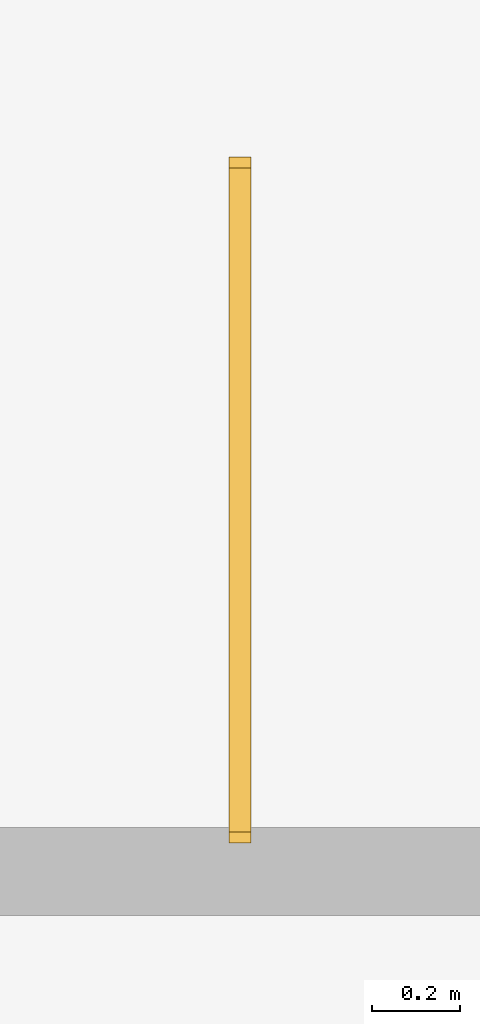
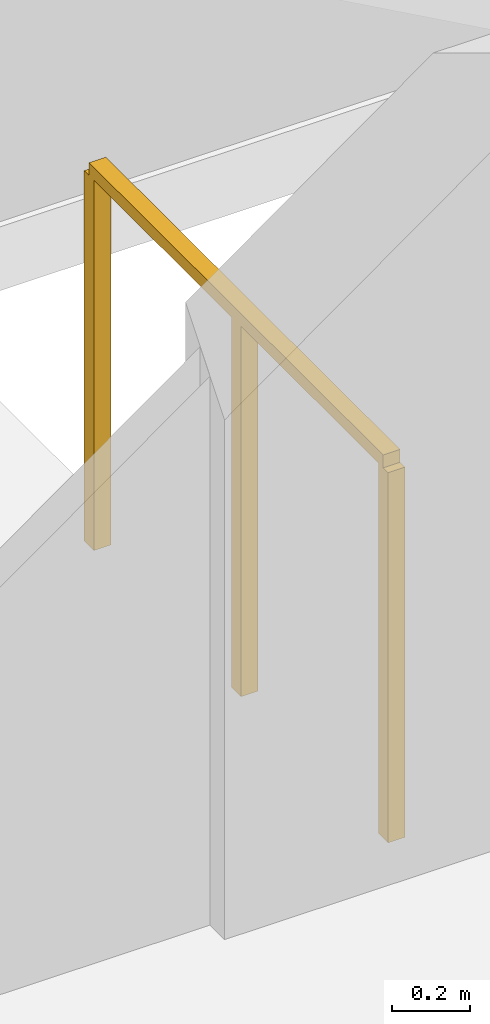
# One storey, part 13 of 13: 1 railing.
"""IFC4 building model written with IfcOpenShell, lengths in metres."""

import ifcopenshell
import ifcopenshell.guid

model = None  # the IFC model being written
_history = None  # IfcOwnerHistory: only IFC2X3 demands one
_inside = {}  # id of a spatial element -> (the spatial element, [elements in it])
_under = {}  # id of a project, library or spatial element -> (it, [spatial elements below it])
_declared = {}  # id of a project -> (the project, [libraries it declares])
_typed = {}  # id of a type object -> (the type object, [elements of that type])
_made_of = {}  # id of a material, layer set ... -> (it, [elements and type objects made of it])


def new_model(schema):
    """Start an empty IFC model of exactly this schema.

    Asked for "IFC4X3", IfcOpenShell would pick the latest addendum, in which some entities
    have other attributes; the version numbers below select the first issue.
    IFC2X3 requires an IfcOwnerHistory on every rooted entity: one is made here for all.
    """
    global model, _history
    if schema == "IFC4X3":
        model = ifcopenshell.file(schema_version=(4, 3, 0, 0))
    else:
        model = ifcopenshell.file(schema=schema)
    _inside.clear()
    _under.clear()
    _declared.clear()
    _typed.clear()
    _made_of.clear()
    _history = None
    if model.schema == "IFC2X3":
        org = make("IfcOrganization", Name="unknown")
        user = make(
            "IfcPersonAndOrganization",
            ThePerson=make("IfcPerson", FamilyName="unknown"),
            TheOrganization=org,
        )
        app = make(
            "IfcApplication",
            ApplicationDeveloper=org,
            Version="unknown",
            ApplicationFullName="unknown",
            ApplicationIdentifier="unknown",
        )
        _history = make(
            "IfcOwnerHistory",
            OwningUser=user,
            OwningApplication=app,
            ChangeAction="ADDED",
            CreationDate=0,
        )
    return model


def make(cls, **values):
    """One entity of the class cls with the attributes given. An attribute that is None is left unset."""
    return model.create_entity(
        cls, **{name: value for name, value in values.items() if value is not None}
    )


def rooted(cls, **values):
    """An entity with a GlobalId (a new one), such as an element, a storey or a relation."""
    return make(cls, GlobalId=ifcopenshell.guid.new(), OwnerHistory=_history, **values)


def si_unit(unit_type, name, prefix=None):
    """IfcSIUnit, for example si_unit("LENGTHUNIT", "METRE", prefix="MILLI")."""
    return make("IfcSIUnit", UnitType=unit_type, Prefix=prefix, Name=name)


def assignment(units):
    """IfcUnitAssignment: the units of a project."""
    return None if units is None else make("IfcUnitAssignment", Units=units)


def point(xyz):
    """IfcCartesianPoint."""
    return None if xyz is None else make("IfcCartesianPoint", Coordinates=xyz)


def direction(xyz):
    """IfcDirection."""
    return None if xyz is None else make("IfcDirection", DirectionRatios=xyz)


def frame(location, z_axis=None, x_axis=None):
    """IfcAxis2Placement3D, a coordinate frame: its origin and axes. An axis left out is left unset."""
    return make(
        "IfcAxis2Placement3D",
        Location=point(location),
        Axis=direction(z_axis),
        RefDirection=direction(x_axis),
    )


def frame_2d(location, x_axis=None):
    """IfcAxis2Placement2D, a coordinate frame in the plane: its origin and x axis."""
    return make(
        "IfcAxis2Placement2D", Location=point(location), RefDirection=direction(x_axis)
    )


def origin():
    """The frame at (0, 0, 0) with its axes left unset."""
    return frame((0.0, 0.0, 0.0))


def origin_2d():
    """The frame at (0, 0) in the plane with its x axis left unset."""
    return frame_2d((0.0, 0.0))


def place(relative_to, where):
    """IfcLocalPlacement: puts the frame where relative to a parent placement (None: the world)."""
    return make(
        "IfcLocalPlacement", PlacementRelTo=relative_to, RelativePlacement=where
    )


def context(
    kind, dimensions, precision=None, world=None, true_north=None, identifier=None
):
    """IfcGeometricRepresentationContext, for example the 3D "Model" context."""
    return make(
        "IfcGeometricRepresentationContext",
        ContextIdentifier=identifier,
        ContextType=kind,
        CoordinateSpaceDimension=dimensions,
        Precision=precision,
        WorldCoordinateSystem=world,
        TrueNorth=true_north,
    )


def subcontext(parent, identifier, kind, view, scale=None):
    """IfcGeometricRepresentationSubContext, for example "Body" below "Model"."""
    return make(
        "IfcGeometricRepresentationSubContext",
        ContextIdentifier=identifier,
        ContextType=kind,
        ParentContext=parent,
        TargetScale=scale,
        TargetView=view,
    )


def project(units=None, contexts=None):
    """IfcProject with its units and contexts."""
    return rooted(
        "IfcProject",
        Name="project",
        RepresentationContexts=contexts,
        UnitsInContext=assignment(units),
    )


def spatial(cls, under=None, at=None, **own):
    """A site, building, storey or space (cls), placed at a placement, below another one or the project."""
    s = rooted(cls, ObjectPlacement=at, **own)
    if under is not None:
        _under.setdefault(under.id(), (under, []))[1].append(s)
    return s


def profile(cls, at=None, kind="AREA", **sizes):
    """A parametric profile (cls). Its sizes go by their IFC names, for example OverallWidth=200.0."""
    return make(cls, ProfileType=kind, Position=at, **sizes)


def rectangle(**sizes):
    """IfcRectangleProfileDef."""
    return profile("IfcRectangleProfileDef", **sizes)


def extrude(swept, where, along, depth):
    """IfcExtrudedAreaSolid: the profile swept, set in the frame where, extruded along a direction by depth."""
    return make(
        "IfcExtrudedAreaSolid",
        SweptArea=swept,
        Position=where,
        ExtrudedDirection=direction(along),
        Depth=depth,
    )


def shape(context_of_items, identifier, shape_type, items):
    """IfcShapeRepresentation: the items that make up one representation, for example the "Body"."""
    return make(
        "IfcShapeRepresentation",
        ContextOfItems=context_of_items,
        RepresentationIdentifier=identifier,
        RepresentationType=shape_type,
        Items=items,
    )


def material(Name=None, Category=None):
    """IfcMaterial."""
    return make("IfcMaterial", Name=Name, Category=Category)


def made_of(thing, what):
    """Note that an element or type object is made of a material, layer set ...; save() writes the relation."""
    if what is not None:
        _made_of.setdefault(what.id(), (what, []))[1].append(thing)
    return thing


def type_object(cls, material=None, **own):
    """A type object (cls), such as IfcWallType, which elements share."""
    return made_of(rooted(cls, **own), material)


def element(
    cls,
    number,
    at=None,
    inside=None,
    cuts=None,
    type_object=None,
    material=None,
    context=None,
    identifier="Body",
    shape_type=None,
    held_by="IfcProductDefinitionShape",
    body=None,
    shapes=None,
    **own,
):
    """One element of the class cls, such as IfcWall. Its Tag is "e" and its number.

    at: its placement. inside: the storey or other place that contains it. cuts: it is an
    opening in that element (IfcRelVoidsElement). A single representation is given by context,
    identifier, shape_type and body (its items); several are given by shapes. held_by: the class
    of the entity that holds the representations. save() writes the other relations.
    """
    e = rooted(cls, Tag="e%d" % number, ObjectPlacement=at, **own)
    if body is not None:
        shapes = [shape(context, identifier, shape_type, body)]
    if shapes is not None:
        e.Representation = make(held_by, Representations=shapes)
    if inside is not None:
        _inside.setdefault(inside.id(), (inside, []))[1].append(e)
    if cuts is not None:
        rooted(
            "IfcRelVoidsElement", RelatingBuildingElement=cuts, RelatedOpeningElement=e
        )
    if type_object is not None:
        _typed.setdefault(type_object.id(), (type_object, []))[1].append(e)
    return made_of(e, material)


def aggregate(whole, parts):
    """IfcRelAggregates: a whole, such as a stair, and the parts it consists of."""
    return rooted("IfcRelAggregates", RelatingObject=whole, RelatedObjects=parts)


def save(model, path):
    """Write the relations noted so far, then the file.

    IfcRelAggregates (storeys below a building ...), IfcRelContainedInSpatialStructure (elements
    in a storey), IfcRelDefinesByType, IfcRelAssociatesMaterial and IfcRelDeclares: one each for
    every whole, place, type object, material and project.
    """
    for whole, parts in _under.values():
        aggregate(whole, parts)
    for where, things in _inside.values():
        rooted(
            "IfcRelContainedInSpatialStructure",
            RelatedElements=things,
            RelatingStructure=where,
        )
    for kind, things in _typed.values():
        rooted("IfcRelDefinesByType", RelatedObjects=things, RelatingType=kind)
    for what, things in _made_of.values():
        rooted("IfcRelAssociatesMaterial", RelatedObjects=things, RelatingMaterial=what)
    for by, libraries in _declared.values():
        rooted("IfcRelDeclares", RelatingContext=by, RelatedDefinitions=libraries)
    model.write(path)


model = new_model("IFC4")

# Units and contexts
model_context = context("Model", 3, precision=1e-05, world=origin(), true_north=direction((0.0, 1.0)))
body_context = subcontext(model_context, "Body", "Model", "MODEL_VIEW")
ifc_project = project(units=[si_unit("LENGTHUNIT", "METRE"), si_unit("AREAUNIT", "SQUARE_METRE"), si_unit("VOLUMEUNIT", "CUBIC_METRE"), si_unit("PLANEANGLEUNIT", "RADIAN"), si_unit("MASSUNIT", "GRAM", prefix="KILO")], contexts=[model_context])

# Site, building, storey
site_placement = place(None, origin())
site = spatial("IfcSite", under=ifc_project, at=site_placement, CompositionType="ELEMENT")
building_placement = place(site_placement, origin())
building = spatial("IfcBuilding", under=site, at=building_placement, Name="Qianvela Tower", CompositionType="ELEMENT")
storey_placement = place(building_placement, frame((0.0, 0.0, 375.050048828125)))
storey = spatial("IfcBuildingStorey", under=building, at=storey_placement, Name="L97", CompositionType="ELEMENT", Elevation=375.050048828125)

# Railing
ifc_material = material(Name="Painted Tubular Steel Q355B", Category="steel")
railing_type = type_object("IfcRailingType", Name="RL-STAIR-GUARD-1200", PredefinedType="GUARDRAIL", material=ifc_material)
railing_placement = place(storey_placement, frame((32.14990234375, 29.5400390625, 0.0)))
element("IfcRailing", 1, at=railing_placement, inside=storey, type_object=railing_type, Name="L97 ST-1 top well guard 1", PredefinedType="GUARDRAIL", context=body_context, shape_type="SweptSolid", body=[
    extrude(rectangle(XDim=0.050048828125, YDim=0.0400390625, at=origin_2d()), frame((0.0, 0.0, 1.179931640625), z_axis=(0.0, 1.0, 0.0), x_axis=(-1.0, 0.0, 0.0)), (0.0, 0.0, 1.0), 1.510009765625),
    extrude(rectangle(XDim=0.050048828125, YDim=0.050048828125, at=origin_2d()), origin(), (0.0, 0.0, 1.0), 1.159912109375),
    extrude(rectangle(XDim=0.050048828125, YDim=0.050048828125, at=origin_2d()), frame((0.0, 0.7548828125, 0.0)), (0.0, 0.0, 1.0), 1.159912109375),
    extrude(rectangle(XDim=0.050048828125, YDim=0.050048828125, at=origin_2d()), frame((0.0, 1.510009765625, 0.0)), (0.0, 0.0, 1.0), 1.159912109375),
])

save(model, "model.ifc")
